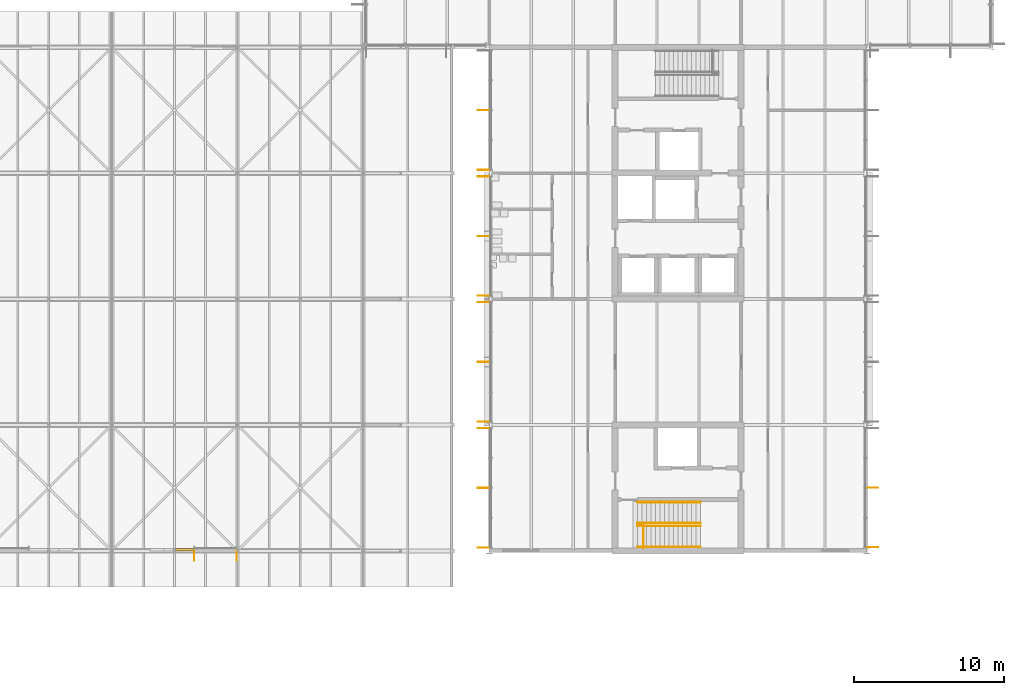
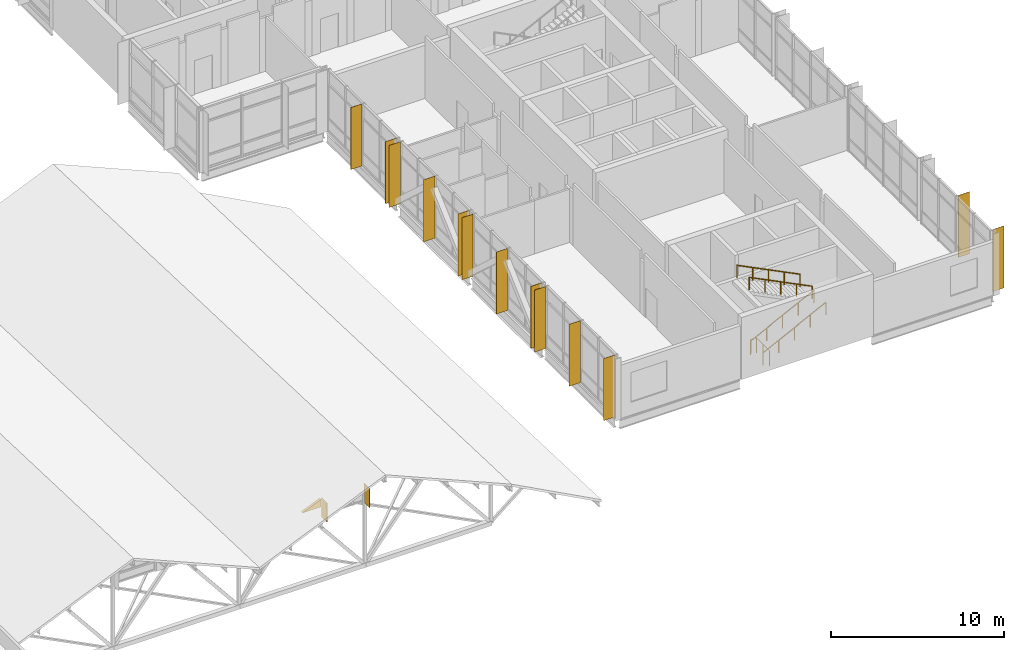
# One storey, part 72 of 76: 15 shading devices, 5 railings, 1 covering.
"""IFC4 building model written with IfcOpenShell, lengths in metres."""

from ifc_helpers import new_model, si_unit, direction, frame, origin, origin_2d, place, context, subcontext, project, spatial, polyline, rectangle, circle, outline, extrude, material, layer, layer_set, type_object, element, save


model = new_model("IFC4")

# Units and contexts
model_context = context("Model", 3, precision=1e-05, world=origin(), true_north=direction((0.0, 1.0)))
body_context = subcontext(model_context, "Body", "Model", "MODEL_VIEW")
ifc_project = project(units=[si_unit("LENGTHUNIT", "METRE"), si_unit("AREAUNIT", "SQUARE_METRE"), si_unit("VOLUMEUNIT", "CUBIC_METRE"), si_unit("PLANEANGLEUNIT", "RADIAN"), si_unit("MASSUNIT", "GRAM", prefix="KILO")], contexts=[model_context])

# Site, building, storey
site_placement = place(None, origin())
site = spatial("IfcSite", under=ifc_project, at=site_placement, CompositionType="ELEMENT")
building_placement = place(site_placement, origin())
building = spatial("IfcBuilding", under=site, at=building_placement, Name="Hlaing Beacon Police Headquarters", CompositionType="ELEMENT")
storey_placement = place(building_placement, frame((0.0, 0.0, 18.89990234375)))
storey = spatial("IfcBuildingStorey", under=building, at=storey_placement, Name="L04", CompositionType="ELEMENT", Elevation=18.89990234375)

# Shading devices
ifc_material_1 = material(Name="Aluminium 6063-T5 anodised", Category="aluminium")
ifc_layer_1 = layer(ifc_material_1, 0.01611328125)
ifc_layer_set_1 = layer_set([ifc_layer_1], Name="Aluminium 6063-T5 anodised")
shading_device_type_1 = type_object("IfcShadingDeviceType", Name="Aluminium fin 16x650", PredefinedType="JALOUSIE", material=ifc_layer_set_1)
for number, where, z_axis, x_axis, name in (
    (1, (81.123291015625, 33.27490234375, 0.0), (0.0, 0.0, 1.0), (1.0, 0.0, 0.0), "Fin L04 S002.0"),
    (2, (83.9599609375, 33.27490234375, 0.0), (0.0, 0.0, 1.0), (1.0, 0.0, 0.0), "Fin L04 S002.1"),
):
    element("IfcShadingDevice", number, at=place(storey_placement, frame(where, z_axis=z_axis, x_axis=x_axis)), inside=storey, type_object=shading_device_type_1, Name=name, PredefinedType="JALOUSIE", context=body_context, shape_type="SweptSolid", body=[
        extrude(rectangle(XDim=0.01611328125, YDim=0.64990234375, at=origin_2d()), origin(), (0.0, 0.0, 1.0), 1.35009765625),
    ])
ifc_material_2 = material(Name="Aluminium 6063-T5 anodised", Category="aluminium")
ifc_layer_2 = layer(ifc_material_2, 0.01611328125)
ifc_layer_set_2 = layer_set([ifc_layer_2], Name="Aluminium 6063-T5 anodised")
shading_device_type_2 = type_object("IfcShadingDeviceType", Name="Aluminium fin 16x750", PredefinedType="JALOUSIE", material=ifc_layer_set_2)
for number, where, z_axis, x_axis, name in (
    (3, (126.375, 33.833251953125, 0.0), (0.0, 0.0, 1.0), (0.0, 1.0, 0.0), "Fin L04 E004.0"),
    (4, (126.375, 37.8076171875, 0.0), (0.0, 0.0, 1.0), (0.0, 1.0, 0.0), "Fin L04 E004.2"),
    (5, (100.425048828125, 63.001953125, 0.0), (0.0, 0.0, 1.0), (0.0, -1.0, 0.0), "Fin L04 W019.2"),
    (6, (100.425048828125, 59.01806640625, 0.0), (0.0, 0.0, 1.0), (0.0, -1.0, 0.0), "Fin L04 W019.4"),
    (7, (100.425048828125, 58.58203125, 0.0), (0.0, 0.0, 1.0), (0.0, -1.0, 0.0), "Fin L04 W020.0"),
    (8, (100.425048828125, 54.60009765625, 0.0), (0.0, 0.0, 1.0), (0.0, -1.0, 0.0), "Fin L04 W020.2"),
    (9, (100.425048828125, 50.617919921875, 0.0), (0.0, 0.0, 1.0), (0.0, -1.0, 0.0), "Fin L04 W020.4"),
    (10, (100.425048828125, 50.181884765625, 0.0), (0.0, 0.0, 1.0), (0.0, -1.0, 0.0), "Fin L04 W021.0"),
    (11, (100.425048828125, 46.199951171875, 0.0), (0.0, 0.0, 1.0), (0.0, -1.0, 0.0), "Fin L04 W021.2"),
    (12, (100.425048828125, 42.218017578125, 0.0), (0.0, 0.0, 1.0), (0.0, -1.0, 0.0), "Fin L04 W021.4"),
    (13, (100.425048828125, 41.781982421875, 0.0), (0.0, 0.0, 1.0), (0.0, -1.0, 0.0), "Fin L04 W022.0"),
    (14, (100.425048828125, 37.798095703125, 0.0), (0.0, 0.0, 1.0), (0.0, -1.0, 0.0), "Fin L04 W022.2"),
    (15, (100.425048828125, 33.814208984375, 0.0), (0.0, 0.0, 1.0), (0.0, -1.0, 0.0), "Fin L04 W022.4"),
):
    element("IfcShadingDevice", number, at=place(storey_placement, frame(where, z_axis=z_axis, x_axis=x_axis)), inside=storey, type_object=shading_device_type_2, Name=name, PredefinedType="JALOUSIE", context=body_context, shape_type="SweptSolid", body=[
        extrude(rectangle(XDim=0.01611328125, YDim=0.75, at=origin_2d()), origin(), (0.0, 0.0, 1.0), 4.3701171875),
    ])

# Covering
ifc_material_3 = material(Name="Insulated aluminium panel infill", Category="aluminium")
ifc_layer_3 = layer(ifc_material_3, 0.175048828125)
ifc_layer_set_3 = layer_set([ifc_layer_3], Name="Insulated aluminium panel infill")
covering_type = type_object("IfcCoveringType", Name="Closure panel, Insulated panel infill wall 175", PredefinedType="CLADDING", material=ifc_layer_set_3)
covering_placement = place(storey_placement, frame((79.85107421875, 33.66259765625, 0.701171875), z_axis=(0.0, 0.0, 1.0), x_axis=(1.0, 0.0, 0.0)))
element("IfcCovering", 16, at=covering_placement, inside=storey, type_object=covering_type, Name="Closure panel Gable fascia L04 S005", PredefinedType="CLADDING", context=body_context, shape_type="SweptSolid", body=[
    extrude(outline(polyline([(0.0, 0.0), (1.232177734375, 0.0), (1.232421875, 0.531494140625), (0.0, 0.0048828125), (0.0, 0.0)])), frame((0.0, 0.08740234375, 0.0), z_axis=(0.0, -1.0, 0.0), x_axis=(1.0, 0.0, 0.0)), (0.0, 0.0, 1.0), 0.175048828125),
])

# Railings
ifc_material_4 = material(Name="Stainless steel", Category="steel")
railing_type_1 = type_object("IfcRailingType", Name="Stair guard 1100", PredefinedType="GUARDRAIL", material=ifc_material_4)
railing_placement = place(storey_placement, frame((111.10009765625, 33.800048828125, 0.0)))
element("IfcRailing", 17, at=railing_placement, inside=storey, type_object=railing_type_1, Name="Guard ST-L", PredefinedType="GUARDRAIL", context=body_context, shape_type="SweptSolid", body=[
    extrude(circle(Radius=0.02392578125, at=origin_2d()), frame((0.0, 0.0, 1.076171875), z_axis=(0.0, 1.0, 0.0), x_axis=(-1.0, 0.0, 0.0)), (0.0, 0.0, 1.0), 1.5),
    extrude(circle(Radius=0.02392578125, at=origin_2d()), frame((0.0, 1.5, 1.076171875), z_axis=(-1.0, 0.0, 0.0), x_axis=(0.0, -1.0, 0.0)), (0.0, 0.0, 1.0), 0.400146484375),
    extrude(circle(Radius=0.02099609375, at=origin_2d()), origin(), (0.0, 0.0, 1.0), 1.052001953125),
    extrude(circle(Radius=0.02099609375, at=origin_2d()), frame((0.0, 0.75, 0.0)), (0.0, 0.0, 1.0), 1.052001953125),
    extrude(circle(Radius=0.02099609375, at=origin_2d()), frame((0.0, 1.5, 0.0)), (0.0, 0.0, 1.0), 1.052001953125),
    extrude(circle(Radius=0.02099609375, at=origin_2d()), frame((-0.400146484375, 1.5, 0.0)), (0.0, 0.0, 1.0), 1.052001953125),
])
ifc_material_5 = material(Name="Stainless steel", Category="steel")
railing_type_2 = type_object("IfcRailingType", Name="Stair handrail 900", PredefinedType="HANDRAIL", material=ifc_material_5)
for number, where, name in (
    (18, (110.699951171875, 33.85009765625, 0.150146484375), "Handrail ST-L"),
    (19, (110.699951171875, 35.25, 0.150146484375), "Handrail ST-L"),
):
    element("IfcRailing", number, at=place(storey_placement, frame(where)), inside=storey, type_object=railing_type_2, Name=name, PredefinedType="HANDRAIL", context=body_context, shape_type="SweptSolid", body=[
        extrude(circle(Radius=0.02392578125, at=origin_2d()), frame((0.0, 0.0, 0.8759765625), z_axis=(0.894437589381, 0.0, 0.447192798132), x_axis=(0.0, 1.0, 0.0)), (0.0, 0.0, 1.0), 4.695556640625),
        extrude(circle(Radius=0.02099609375, at=origin_2d()), origin(), (0.0, 0.0, 1.0), 0.851806640625),
        extrude(circle(Radius=0.02099609375, at=origin_2d()), frame((1.050048828125, 0.0, 0.52490234375)), (0.0, 0.0, 1.0), 0.851806640625),
        extrude(circle(Radius=0.02099609375, at=origin_2d()), frame((2.10009765625, 0.0, 1.0498046875)), (0.0, 0.0, 1.0), 0.851806640625),
        extrude(circle(Radius=0.02099609375, at=origin_2d()), frame((3.14990234375, 0.0, 1.574951171875)), (0.0, 0.0, 1.0), 0.851806640625),
        extrude(circle(Radius=0.02099609375, at=origin_2d()), frame((4.199951171875, 0.0, 2.099853515625)), (0.0, 0.0, 1.0), 0.851806640625),
    ])
for number, where, name in (
    (20, (114.89990234375, 35.449951171875, 2.400146484375), "Handrail ST-L"),
    (21, (114.89990234375, 36.85009765625, 2.400146484375), "Handrail ST-L"),
):
    element("IfcRailing", number, at=place(storey_placement, frame(where)), inside=storey, type_object=railing_type_2, Name=name, PredefinedType="HANDRAIL", context=body_context, shape_type="SweptSolid", body=[
        extrude(circle(Radius=0.02392578125, at=origin_2d()), frame((0.0, 0.0, 0.8759765625), z_axis=(-0.894437589381, 0.0, 0.447192798132), x_axis=(0.0, -1.0, 0.0)), (0.0, 0.0, 1.0), 4.695556640625),
        extrude(circle(Radius=0.02099609375, at=origin_2d()), origin(), (0.0, 0.0, 1.0), 0.851806640625),
        extrude(circle(Radius=0.02099609375, at=origin_2d()), frame((-1.050048828125, 0.0, 0.52490234375)), (0.0, 0.0, 1.0), 0.851806640625),
        extrude(circle(Radius=0.02099609375, at=origin_2d()), frame((-2.10009765625, 0.0, 1.0498046875)), (0.0, 0.0, 1.0), 0.851806640625),
        extrude(circle(Radius=0.02099609375, at=origin_2d()), frame((-3.14990234375, 0.0, 1.574951171875)), (0.0, 0.0, 1.0), 0.851806640625),
        extrude(circle(Radius=0.02099609375, at=origin_2d()), frame((-4.199951171875, 0.0, 2.099853515625)), (0.0, 0.0, 1.0), 0.851806640625),
    ])

save(model, "model.ifc")
